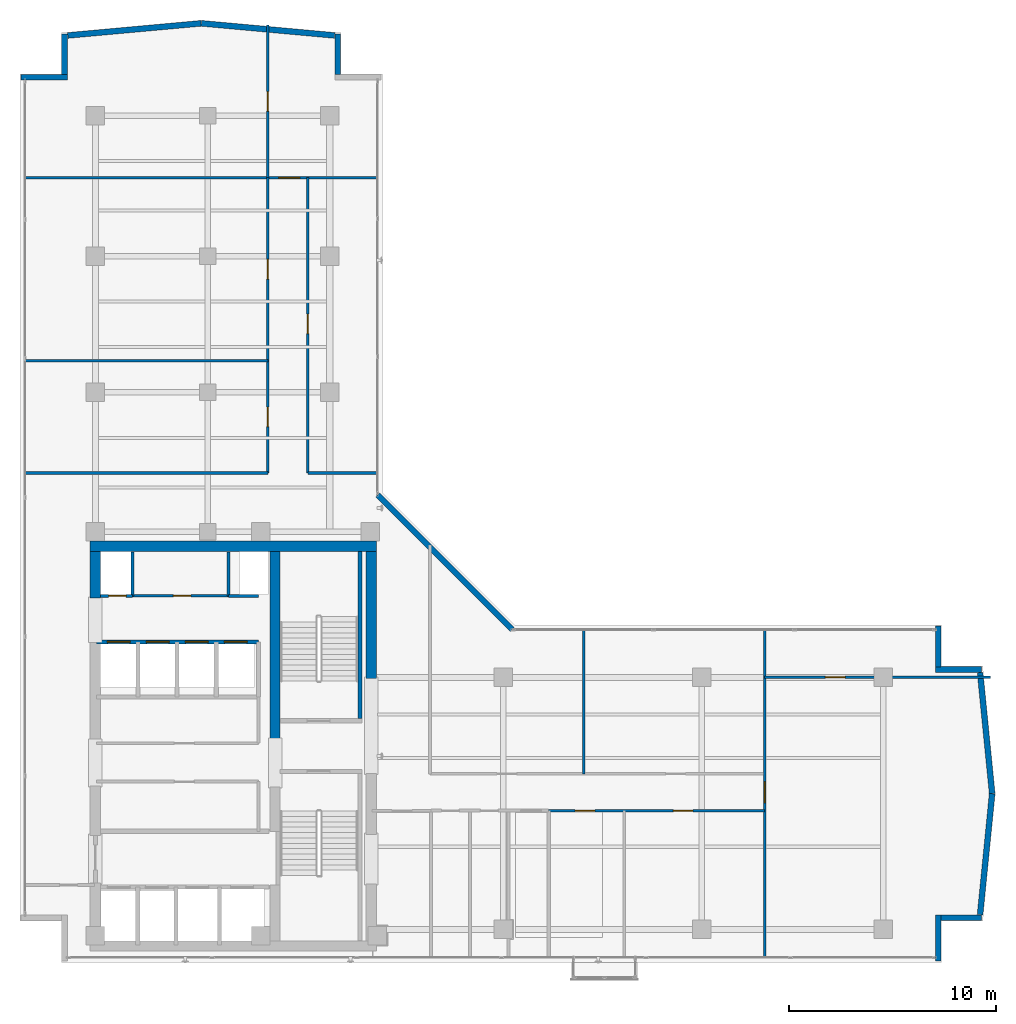
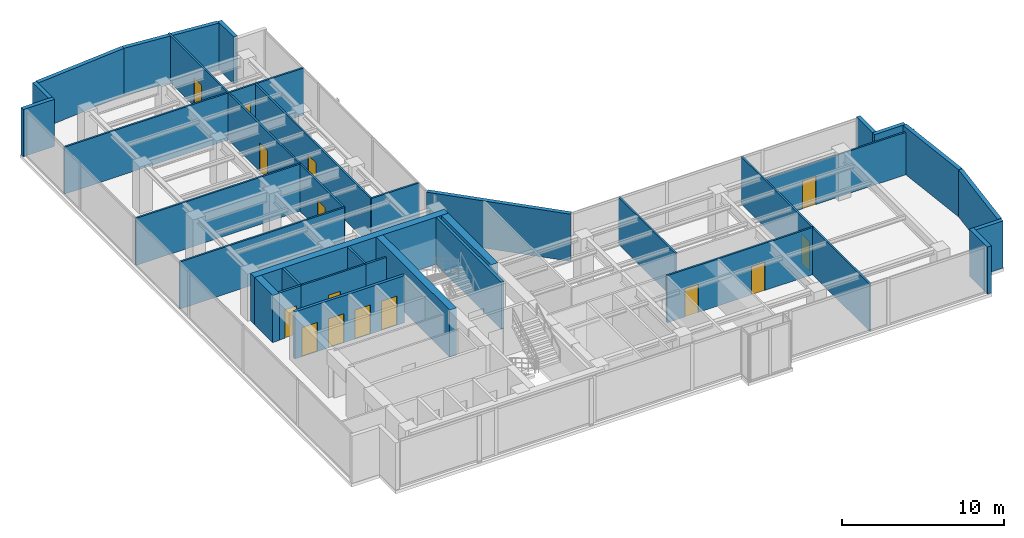
# One storey, part 18 of 22: 34 walls, 15 doors, 15 openings.
"""IFC4 building model written with IfcOpenShell, lengths in metres."""

from ifc_helpers import new_model, si_unit, direction, frame, frame_2d, origin, place, context, subcontext, project, spatial, rectangle, extrude, material, layer, layer_set, type_object, element, fill, save


model = new_model("IFC4")

# Units and contexts
model_context = context("Model", 3, precision=1e-05, world=origin(), true_north=direction((0.0, 1.0)))
body_context = subcontext(model_context, "Body", "Model", "MODEL_VIEW")
ifc_project = project(units=[si_unit("LENGTHUNIT", "METRE"), si_unit("AREAUNIT", "SQUARE_METRE"), si_unit("VOLUMEUNIT", "CUBIC_METRE"), si_unit("PLANEANGLEUNIT", "RADIAN"), si_unit("MASSUNIT", "GRAM", prefix="KILO")], contexts=[model_context])

# Site, building, storey
site_placement = place(None, origin())
site = spatial("IfcSite", under=ifc_project, at=site_placement, CompositionType="ELEMENT")
building_placement = place(site_placement, origin())
building = spatial("IfcBuilding", under=site, at=building_placement, Name="Kolvaren Waterfront Exchange", CompositionType="ELEMENT")
storey_placement = place(building_placement, frame((0.0, 0.0, 281.800048828125)))
storey = spatial("IfcBuildingStorey", under=building, at=storey_placement, Name="L72", CompositionType="ELEMENT", Elevation=281.800048828125)

# Walls
ifc_material_1 = material(Name="Precast concrete C40/50", Category="concrete")
ifc_layer_1 = layer(ifc_material_1, 0.280029296875, Name="Precast concrete C40/50")
ifc_layer_set_1 = layer_set([ifc_layer_1], Name="Precast concrete C40/50")
wall_type_1 = type_object("IfcWallType", Name="ARC-EXT-TERR-280", PredefinedType="SOLIDWALL", material=ifc_layer_set_1)
wall_1_placement = place(storey_placement, frame((48.255859375, 3.659912109375, 0.0), z_axis=(0.0, 0.0, 1.0), x_axis=(0.0, 1.0, 0.0)))
element("IfcWall", 1, at=wall_1_placement, inside=storey, type_object=wall_type_1, Name="L72 notched corner spandrel pier SE-A", PredefinedType="SOLIDWALL", context=body_context, shape_type="SweptSolid", body=[
    extrude(rectangle(XDim=2.239990234375, YDim=0.280029296875, at=frame_2d((1.1201171875, 0.0))), origin(), (0.0, 0.0, 1.0), 3.56005859375),
])
wall_2_placement = place(storey_placement, frame((48.395751953125, 5.760009765625, 0.0), z_axis=(0.0, 0.0, 1.0), x_axis=(1.0, 0.0, 0.0)))
element("IfcWall", 2, at=wall_2_placement, inside=storey, type_object=wall_type_1, Name="L72 notched corner spandrel pier SE-B", PredefinedType="SOLIDWALL", context=body_context, shape_type="SweptSolid", body=[
    extrude(rectangle(XDim=1.9599609375, YDim=0.280029296875, at=frame_2d((0.97998046875, 0.0))), origin(), (0.0, 0.0, 1.0), 3.56005859375),
])
wall_3_placement = place(storey_placement, frame((48.255859375, 17.912353515625, 0.0), z_axis=(0.0, 0.0, 1.0), x_axis=(0.0, 1.0, 0.0)))
element("IfcWall", 3, at=wall_3_placement, inside=storey, type_object=wall_type_1, Name="L72 notched corner spandrel pier ENE-A", PredefinedType="SOLIDWALL", context=body_context, shape_type="SweptSolid", body=[
    extrude(rectangle(XDim=1.97509765625, YDim=0.280029296875, at=frame_2d((0.987548828125, 0.0))), origin(), (0.0, 0.0, 1.0), 3.56005859375),
])
wall_4_placement = place(storey_placement, frame((48.11572265625, 17.787353515625, 0.0), z_axis=(0.0, 0.0, 1.0), x_axis=(1.0, 0.0, 0.0)))
element("IfcWall", 4, at=wall_4_placement, inside=storey, type_object=wall_type_1, Name="L72 notched corner spandrel pier ENE-B", PredefinedType="SOLIDWALL", context=body_context, shape_type="SweptSolid", body=[
    extrude(rectangle(XDim=2.239990234375, YDim=0.280029296875, at=frame_2d((1.1201171875, 0.0))), origin(), (0.0, 0.0, 1.0), 3.56005859375),
])
wall_5_placement = place(storey_placement, frame((19.1875, 46.595703125, 0.0), z_axis=(0.0, 0.0, 1.0), x_axis=(0.0, 1.0, 0.0)))
element("IfcWall", 5, at=wall_5_placement, inside=storey, type_object=wall_type_1, Name="L72 notched corner spandrel pier NNE-B", PredefinedType="SOLIDWALL", context=body_context, shape_type="SweptSolid", body=[
    extrude(rectangle(XDim=1.960205078125, YDim=0.280029296875, at=frame_2d((0.97998046875, 0.0))), origin(), (0.0, 0.0, 1.0), 3.56005859375),
])
wall_6_placement = place(storey_placement, frame((3.860107421875, 46.455810546875, 0.0), z_axis=(0.0, 0.0, 1.0), x_axis=(1.0, 0.0, 0.0)))
element("IfcWall", 6, at=wall_6_placement, inside=storey, type_object=wall_type_1, Name="L72 notched corner spandrel pier NW-A", PredefinedType="SOLIDWALL", context=body_context, shape_type="SweptSolid", body=[
    extrude(rectangle(XDim=2.239990234375, YDim=0.280029296875, at=frame_2d((1.1201171875, 0.0))), origin(), (0.0, 0.0, 1.0), 3.56005859375),
])
wall_7_placement = place(storey_placement, frame((5.9599609375, 46.595703125, 0.0), z_axis=(0.0, 0.0, 1.0), x_axis=(0.0, 1.0, 0.0)))
element("IfcWall", 7, at=wall_7_placement, inside=storey, type_object=wall_type_1, Name="L72 notched corner spandrel pier NW-B", PredefinedType="SOLIDWALL", context=body_context, shape_type="SweptSolid", body=[
    extrude(rectangle(XDim=1.960205078125, YDim=0.280029296875, at=frame_2d((0.97998046875, 0.0))), origin(), (0.0, 0.0, 1.0), 3.56005859375),
])
wall_8_placement = place(storey_placement, frame((27.63232421875, 19.722412109375, 0.0), z_axis=(0.0, 0.0, 1.0), x_axis=(-0.707106781187, 0.707106781187, 0.0)))
element("IfcWall", 8, at=wall_8_placement, inside=storey, type_object=wall_type_1, Name="L72 notched corner spandrel pier ELBOW", PredefinedType="SOLIDWALL", context=body_context, shape_type="SweptSolid", body=[
    extrude(rectangle(XDim=9.20654296875, YDim=0.280029296875, at=frame_2d((4.603271484375, 0.0))), origin(), (0.0, 0.0, 1.0), 3.56005859375),
])
for number, where, z_axis, x_axis, name in (
    (9, (50.286376953125, 5.914306640625, 0.0), (0.0, 0.0, 1.0), (0.099240817261, 0.995063445309, 0.0), "L72 east prow faceted facade wall 1"),
    (10, (50.870361328125, 11.777587890625, 0.0), (0.0, 0.0, 1.0), (-0.099240817261, 0.995063445309, 0.0), "L72 east prow faceted facade wall 2"),
):
    element("IfcWall", number, at=place(storey_placement, frame(where, z_axis=z_axis, x_axis=x_axis)), inside=storey, type_object=wall_type_1, Name=name, PredefinedType="SOLIDWALL", context=body_context, shape_type="SweptSolid", body=[
        extrude(rectangle(XDim=5.884521484375, YDim=0.280029296875, at=frame_2d((2.9423828125, 0.0))), origin(), (0.0, 0.0, 1.0), 3.56005859375),
    ])
for number, where, z_axis, x_axis, name in (
    (11, (19.0341796875, 48.483642578125, 0.0), (0.0, 0.0, 1.0), (-0.995895367362, 0.090511973062, 0.0), "L72 north prow faceted facade wall 1"),
    (12, (12.568359375, 49.0703125, 0.0), (0.0, 0.0, 1.0), (-0.995895367362, -0.090511973062, 0.0), "L72 north prow faceted facade wall 2"),
):
    element("IfcWall", number, at=place(storey_placement, frame(where, z_axis=z_axis, x_axis=x_axis)), inside=storey, type_object=wall_type_1, Name=name, PredefinedType="SOLIDWALL", context=body_context, shape_type="SweptSolid", body=[
        extrude(rectangle(XDim=6.481689453125, YDim=0.280029296875, at=frame_2d((3.24072265625, 0.0))), origin(), (0.0, 0.0, 1.0), 3.56005859375),
    ])

# Wall, opening, door
ifc_material_2 = material(Name="Acoustic gypsum steel stud", Category="steel")
ifc_layer_2 = layer(ifc_material_2, 0.125, Name="Acoustic gypsum steel stud")
ifc_layer_set_2 = layer_set([ifc_layer_2], Name="Acoustic gypsum steel stud")
wall_type_2 = type_object("IfcWallType", Name="ARC-PART-125", PredefinedType="PARTITIONING", material=ifc_layer_set_2)
wall_9_placement = place(storey_placement, frame((9.25, 21.35009765625, 0.0), z_axis=(0.0, 0.0, 1.0), x_axis=(1.0, 0.0, 0.0)))
wall_9 = element("IfcWall", 13, at=wall_9_placement, inside=storey, type_object=wall_type_2, Name="L72 interior wall PW-L72-SVC-HI-S", PredefinedType="PARTITIONING", context=body_context, shape_type="SweptSolid", body=[
    extrude(rectangle(XDim=4.64990234375, YDim=0.125, at=frame_2d((2.324951171875, 0.0))), origin(), (0.0, 0.0, 1.0), 3.56005859375),
])
opening_1_placement = place(wall_9_placement, frame((1.971435546875, 0.0, 0.0)))
opening_1 = element("IfcOpeningElement", 14, at=opening_1_placement, cuts=wall_9, Name="Opening D01", PredefinedType="OPENING", context=body_context, shape_type="SweptSolid", body=[
    extrude(rectangle(XDim=0.85009765625, YDim=2.14990234375, at=frame_2d((0.425048828125, 1.074951171875))), frame((0.0, 0.072509765625, 0.0), z_axis=(0.0, -1.0, 0.0), x_axis=(1.0, 0.0, 0.0)), (0.0, 0.0, 1.0), 0.14501953125),
])
ifc_material_3 = material(Name="Oak veneer timber leaf", Category="wood")
door_type_1 = type_object("IfcDoorType", Name="ARC-DR-900", OperationType="NOTDEFINED", PredefinedType="DOOR", material=ifc_material_3)
door_1_placement = place(opening_1_placement, origin())
door_1 = element("IfcDoor", 15, at=door_1_placement, inside=storey, type_object=door_type_1, Name="L72 door DR-L72-SVC-DR-1 (D01)", OperationType="SINGLE_SWING_RIGHT", OverallHeight=2.14990234375, OverallWidth=0.85009765625, PredefinedType="DOOR", context=body_context, shape_type="SweptSolid", body=[
    extrude(rectangle(XDim=0.85009765625, YDim=2.14990234375, at=frame_2d((0.425048828125, 1.074951171875))), frame((0.0, 0.02490234375, 0.0), z_axis=(0.0, -1.0, 0.0), x_axis=(1.0, 0.0, 0.0)), (0.0, 0.0, 1.0), 0.050048828125),
])
fill(opening_1, door_1)

# Wall, openings, doors
wall_10_placement = place(storey_placement, frame((29.39990234375, 10.949951171875, 0.0), z_axis=(0.0, 0.0, 1.0), x_axis=(1.0, 0.0, 0.0)))
wall_10 = element("IfcWall", 16, at=wall_10_placement, inside=storey, type_object=wall_type_2, Name="L72 interior wall PW-L72-ES-CORR", PredefinedType="PARTITIONING", context=body_context, shape_type="SweptSolid", body=[
    extrude(rectangle(XDim=10.4501953125, YDim=0.125, at=frame_2d((5.22509765625, 0.0))), origin(), (0.0, 0.0, 1.0), 3.56005859375),
])
opening_2_placement = place(wall_10_placement, frame((1.281494140625, 0.0, 0.0)))
opening_2 = element("IfcOpeningElement", 17, at=opening_2_placement, cuts=wall_10, Name="Opening D02", PredefinedType="OPENING", context=body_context, shape_type="SweptSolid", body=[
    extrude(rectangle(XDim=0.949951171875, YDim=2.14990234375, at=frame_2d((0.47509765625, 1.074951171875))), frame((0.0, 0.072509765625, 0.0), z_axis=(0.0, -1.0, 0.0), x_axis=(1.0, 0.0, 0.0)), (0.0, 0.0, 1.0), 0.14501953125),
])
opening_3_placement = place(wall_10_placement, frame((6.034423828125, 0.0, 0.0)))
opening_3 = element("IfcOpeningElement", 18, at=opening_3_placement, cuts=wall_10, Name="Opening D02", PredefinedType="OPENING", context=body_context, shape_type="SweptSolid", body=[
    extrude(rectangle(XDim=0.949951171875, YDim=2.14990234375, at=frame_2d((0.47509765625, 1.074951171875))), frame((0.0, 0.072509765625, 0.0), z_axis=(0.0, -1.0, 0.0), x_axis=(1.0, 0.0, 0.0)), (0.0, 0.0, 1.0), 0.14501953125),
])
ifc_material_4 = material(Name="Oak veneer acoustic timber", Category="wood")
door_type_2 = type_object("IfcDoorType", Name="ARC-DR-950", OperationType="NOTDEFINED", PredefinedType="DOOR", material=ifc_material_4)
door_2_placement = place(opening_2_placement, origin())
door_2 = element("IfcDoor", 19, at=door_2_placement, inside=storey, type_object=door_type_2, Name="L72 door DR-L72-ES-D-1 (D02)", OperationType="SINGLE_SWING_RIGHT", OverallHeight=2.14990234375, OverallWidth=0.949951171875, PredefinedType="DOOR", context=body_context, shape_type="SweptSolid", body=[
    extrude(rectangle(XDim=0.949951171875, YDim=2.14990234375, at=frame_2d((0.47509765625, 1.074951171875))), frame((0.0, 0.02490234375, 0.0), z_axis=(0.0, -1.0, 0.0), x_axis=(1.0, 0.0, 0.0)), (0.0, 0.0, 1.0), 0.050048828125),
])
fill(opening_2, door_2)
door_3_placement = place(opening_3_placement, origin())
door_3 = element("IfcDoor", 20, at=door_3_placement, inside=storey, type_object=door_type_2, Name="L72 door DR-L72-ES-D-2 (D02)", OperationType="SINGLE_SWING_LEFT", OverallHeight=2.14990234375, OverallWidth=0.949951171875, PredefinedType="DOOR", context=body_context, shape_type="SweptSolid", body=[
    extrude(rectangle(XDim=0.949951171875, YDim=2.14990234375, at=frame_2d((0.47509765625, 1.074951171875))), frame((0.0, 0.02490234375, 0.0), z_axis=(0.0, -1.0, 0.0), x_axis=(1.0, 0.0, 0.0)), (0.0, 0.0, 1.0), 0.050048828125),
])
fill(opening_3, door_3)

# Wall, opening, door
wall_11_placement = place(storey_placement, frame((39.85009765625, 3.840087890625, 0.0), z_axis=(0.0, 0.0, 1.0), x_axis=(0.0, 1.0, 0.0)))
wall_11 = element("IfcWall", 21, at=wall_11_placement, inside=storey, type_object=wall_type_2, Name="L72 interior wall PW-L72-ETIP-W", PredefinedType="PARTITIONING", context=body_context, shape_type="SweptSolid", body=[
    extrude(rectangle(XDim=15.919921875, YDim=0.125, at=frame_2d((7.9599609375, 0.0))), origin(), (0.0, 0.0, 1.0), 3.56005859375),
])
opening_4_placement = place(wall_11_placement, frame((7.5, 0.0, 0.0)))
opening_4 = element("IfcOpeningElement", 22, at=opening_4_placement, cuts=wall_11, Name="Opening D03", PredefinedType="OPENING", context=body_context, shape_type="SweptSolid", body=[
    extrude(rectangle(XDim=1.0, YDim=2.199951171875, at=frame_2d((0.5, 1.10009765625))), frame((0.0, 0.072509765625, 0.0), z_axis=(0.0, -1.0, 0.0), x_axis=(1.0, 0.0, 0.0)), (0.0, 0.0, 1.0), 0.14501953125),
])
ifc_material_5 = material(Name="Oak veneer accessible timber", Category="wood")
door_type_3 = type_object("IfcDoorType", Name="ARC-DR-1000", OperationType="NOTDEFINED", PredefinedType="DOOR", material=ifc_material_5)
door_4_placement = place(opening_4_placement, origin())
door_4 = element("IfcDoor", 23, at=door_4_placement, inside=storey, type_object=door_type_3, Name="L72 door DR-L72-ETIP1-D (D03)", OperationType="SINGLE_SWING_RIGHT", OverallHeight=2.199951171875, OverallWidth=1.0, PredefinedType="DOOR", context=body_context, shape_type="SweptSolid", body=[
    extrude(rectangle(XDim=1.0, YDim=2.199951171875, at=frame_2d((0.5, 1.10009765625))), frame((0.0, 0.02490234375, 0.0), z_axis=(0.0, -1.0, 0.0), x_axis=(1.0, 0.0, 0.0)), (0.0, 0.0, 1.0), 0.050048828125),
])
fill(opening_4, door_4)

wall_12_placement = place(storey_placement, frame((39.85009765625, 17.39990234375, 0.0), z_axis=(0.0, 0.0, 1.0), x_axis=(1.0, 0.0, 0.0)))
wall_12 = element("IfcWall", 24, at=wall_12_placement, inside=storey, type_object=wall_type_2, Name="L72 interior wall PW-L72-ETIP-MID", PredefinedType="PARTITIONING", context=body_context, shape_type="SweptSolid", body=[
    extrude(rectangle(XDim=10.94140625, YDim=0.125, at=frame_2d((5.470703125, 0.0))), origin(), (0.0, 0.0, 1.0), 3.199951171875),
])
opening_5_placement = place(wall_12_placement, frame((2.949951171875, 0.0, 0.0)))
opening_5 = element("IfcOpeningElement", 25, at=opening_5_placement, cuts=wall_12, Name="Opening D02", PredefinedType="OPENING", context=body_context, shape_type="SweptSolid", body=[
    extrude(rectangle(XDim=0.949951171875, YDim=2.14990234375, at=frame_2d((0.47509765625, 1.074951171875))), frame((0.0, 0.072509765625, 0.0), z_axis=(0.0, -1.0, 0.0), x_axis=(1.0, 0.0, 0.0)), (0.0, 0.0, 1.0), 0.14501953125),
])
door_5_placement = place(opening_5_placement, origin())
door_5 = element("IfcDoor", 26, at=door_5_placement, inside=storey, type_object=door_type_2, Name="L72 door DR-L72-ETIP2-D (D02)", OperationType="SINGLE_SWING_LEFT", OverallHeight=2.14990234375, OverallWidth=0.949951171875, PredefinedType="DOOR", context=body_context, shape_type="SweptSolid", body=[
    extrude(rectangle(XDim=0.949951171875, YDim=2.14990234375, at=frame_2d((0.47509765625, 1.074951171875))), frame((0.0, 0.02490234375, 0.0), z_axis=(0.0, -1.0, 0.0), x_axis=(1.0, 0.0, 0.0)), (0.0, 0.0, 1.0), 0.050048828125),
])
fill(opening_5, door_5)

# Walls
wall_13_placement = place(storey_placement, frame((31.10009765625, 12.72998046875, 0.0), z_axis=(0.0, 0.0, 1.0), x_axis=(0.0, 1.0, 0.0)))
element("IfcWall", 27, at=wall_13_placement, inside=storey, type_object=wall_type_2, Name="L72 interior wall PW-L72-EN-DIV-1", PredefinedType="PARTITIONING", context=body_context, shape_type="SweptSolid", body=[
    extrude(rectangle(XDim=7.030029296875, YDim=0.125, at=frame_2d((3.51513671875, 0.0))), origin(), (0.0, 0.0, 1.0), 3.56005859375),
])
wall_14_placement = place(storey_placement, frame((4.0400390625, 27.300048828125, 0.0), z_axis=(0.0, 0.0, 1.0), x_axis=(1.0, 0.0, 0.0)))
element("IfcWall", 28, at=wall_14_placement, inside=storey, type_object=wall_type_2, Name="L72 interior wall PW-L72-NW-S0", PredefinedType="PARTITIONING", context=body_context, shape_type="SweptSolid", body=[
    extrude(rectangle(XDim=11.760009765625, YDim=0.125, at=frame_2d((5.8798828125, 0.0))), origin(), (0.0, 0.0, 1.0), 3.56005859375),
])

# Wall, openings, doors
wall_15_placement = place(storey_placement, frame((15.800048828125, 27.300048828125, 0.0), z_axis=(0.0, 0.0, 1.0), x_axis=(0.0, 1.0, 0.0)))
wall_15 = element("IfcWall", 29, at=wall_15_placement, inside=storey, type_object=wall_type_2, Name="L72 interior wall PW-L72-NW-CORR", PredefinedType="PARTITIONING", context=body_context, shape_type="SweptSolid", body=[
    extrude(rectangle(XDim=14.300048828125, YDim=0.125, at=frame_2d((7.14990234375, 0.0))), origin(), (0.0, 0.0, 1.0), 3.56005859375),
])
opening_6_placement = place(wall_15_placement, frame((2.239990234375, 0.0, 0.0)))
opening_6 = element("IfcOpeningElement", 30, at=opening_6_placement, cuts=wall_15, Name="Opening D02", PredefinedType="OPENING", context=body_context, shape_type="SweptSolid", body=[
    extrude(rectangle(XDim=0.949951171875, YDim=2.14990234375, at=frame_2d((0.47509765625, 1.074951171875))), frame((0.0, 0.072509765625, 0.0), z_axis=(0.0, -1.0, 0.0), x_axis=(1.0, 0.0, 0.0)), (0.0, 0.0, 1.0), 0.14501953125),
])
opening_7_placement = place(wall_15_placement, frame((9.389892578125, 0.0, 0.0)))
opening_7 = element("IfcOpeningElement", 31, at=opening_7_placement, cuts=wall_15, Name="Opening D02", PredefinedType="OPENING", context=body_context, shape_type="SweptSolid", body=[
    extrude(rectangle(XDim=0.949951171875, YDim=2.14990234375, at=frame_2d((0.47509765625, 1.074951171875))), frame((0.0, 0.072509765625, 0.0), z_axis=(0.0, -1.0, 0.0), x_axis=(1.0, 0.0, 0.0)), (0.0, 0.0, 1.0), 0.14501953125),
])
door_6_placement = place(opening_6_placement, origin())
door_6 = element("IfcDoor", 32, at=door_6_placement, inside=storey, type_object=door_type_2, Name="L72 door DR-L72-NW-D-1 (D02)", OperationType="SINGLE_SWING_RIGHT", OverallHeight=2.14990234375, OverallWidth=0.949951171875, PredefinedType="DOOR", context=body_context, shape_type="SweptSolid", body=[
    extrude(rectangle(XDim=0.949951171875, YDim=2.14990234375, at=frame_2d((0.47509765625, 1.074951171875))), frame((0.0, 0.02490234375, 0.0), z_axis=(0.0, -1.0, 0.0), x_axis=(1.0, 0.0, 0.0)), (0.0, 0.0, 1.0), 0.050048828125),
])
fill(opening_6, door_6)
door_7_placement = place(opening_7_placement, origin())
door_7 = element("IfcDoor", 33, at=door_7_placement, inside=storey, type_object=door_type_2, Name="L72 door DR-L72-NW-D-2 (D02)", OperationType="SINGLE_SWING_LEFT", OverallHeight=2.14990234375, OverallWidth=0.949951171875, PredefinedType="DOOR", context=body_context, shape_type="SweptSolid", body=[
    extrude(rectangle(XDim=0.949951171875, YDim=2.14990234375, at=frame_2d((0.47509765625, 1.074951171875))), frame((0.0, 0.02490234375, 0.0), z_axis=(0.0, -1.0, 0.0), x_axis=(1.0, 0.0, 0.0)), (0.0, 0.0, 1.0), 0.050048828125),
])
fill(opening_7, door_7)

# Wall
wall_16_placement = place(storey_placement, frame((4.0400390625, 32.72998046875, 0.0), z_axis=(0.0, 0.0, 1.0), x_axis=(1.0, 0.0, 0.0)))
element("IfcWall", 34, at=wall_16_placement, inside=storey, type_object=wall_type_2, Name="L72 interior wall PW-L72-NW-DIV-1", PredefinedType="PARTITIONING", context=body_context, shape_type="SweptSolid", body=[
    extrude(rectangle(XDim=11.760009765625, YDim=0.125, at=frame_2d((5.8798828125, 0.0))), origin(), (0.0, 0.0, 1.0), 3.56005859375),
])

# Wall, opening, door
wall_17_placement = place(storey_placement, frame((4.0400390625, 41.60009765625, 0.0), z_axis=(0.0, 0.0, 1.0), x_axis=(1.0, 0.0, 0.0)))
wall_17 = element("IfcWall", 35, at=wall_17_placement, inside=storey, type_object=wall_type_2, Name="L72 interior wall PW-L72-NTIP-S", PredefinedType="PARTITIONING", context=body_context, shape_type="SweptSolid", body=[
    extrude(rectangle(XDim=17.119873046875, YDim=0.125, at=frame_2d((8.56005859375, 0.0))), origin(), (0.0, 0.0, 1.0), 3.56005859375),
])
opening_8_placement = place(wall_17_placement, frame((12.300048828125, 0.0, 0.0)))
opening_8 = element("IfcOpeningElement", 36, at=opening_8_placement, cuts=wall_17, Name="Opening D03", PredefinedType="OPENING", context=body_context, shape_type="SweptSolid", body=[
    extrude(rectangle(XDim=1.0, YDim=2.199951171875, at=frame_2d((0.5, 1.10009765625))), frame((0.0, 0.072509765625, 0.0), z_axis=(0.0, -1.0, 0.0), x_axis=(1.0, 0.0, 0.0)), (0.0, 0.0, 1.0), 0.14501953125),
])
door_8_placement = place(opening_8_placement, origin())
door_8 = element("IfcDoor", 37, at=door_8_placement, inside=storey, type_object=door_type_3, Name="L72 door DR-L72-NTIPE-D (D03)", OperationType="SINGLE_SWING_RIGHT", OverallHeight=2.199951171875, OverallWidth=1.0, PredefinedType="DOOR", context=body_context, shape_type="SweptSolid", body=[
    extrude(rectangle(XDim=1.0, YDim=2.199951171875, at=frame_2d((0.5, 1.10009765625))), frame((0.0, 0.02490234375, 0.0), z_axis=(0.0, -1.0, 0.0), x_axis=(1.0, 0.0, 0.0)), (0.0, 0.0, 1.0), 0.050048828125),
])
fill(opening_8, door_8)

wall_18_placement = place(storey_placement, frame((15.800048828125, 41.60009765625, 0.0), z_axis=(0.0, 0.0, 1.0), x_axis=(0.0, 1.0, 0.0)))
wall_18 = element("IfcWall", 38, at=wall_18_placement, inside=storey, type_object=wall_type_2, Name="L72 interior wall PW-L72-NTIP-DIV", PredefinedType="PARTITIONING", context=body_context, shape_type="SweptSolid", body=[
    extrude(rectangle(XDim=7.3916015625, YDim=0.125, at=frame_2d((3.69580078125, 0.0))), origin(), (0.0, 0.0, 1.0), 3.56005859375),
])
opening_9_placement = place(wall_18_placement, frame((3.2158203125, 0.0, 0.0)))
opening_9 = element("IfcOpeningElement", 39, at=opening_9_placement, cuts=wall_18, Name="Opening D02", PredefinedType="OPENING", context=body_context, shape_type="SweptSolid", body=[
    extrude(rectangle(XDim=0.949951171875, YDim=2.14990234375, at=frame_2d((0.47509765625, 1.074951171875))), frame((0.0, 0.072509765625, 0.0), z_axis=(0.0, -1.0, 0.0), x_axis=(1.0, 0.0, 0.0)), (0.0, 0.0, 1.0), 0.14501953125),
])
door_9_placement = place(opening_9_placement, origin())
door_9 = element("IfcDoor", 40, at=door_9_placement, inside=storey, type_object=door_type_2, Name="L72 door DR-L72-NTIPW-D (D02)", OperationType="SINGLE_SWING_LEFT", OverallHeight=2.14990234375, OverallWidth=0.949951171875, PredefinedType="DOOR", context=body_context, shape_type="SweptSolid", body=[
    extrude(rectangle(XDim=0.949951171875, YDim=2.14990234375, at=frame_2d((0.47509765625, 1.074951171875))), frame((0.0, 0.02490234375, 0.0), z_axis=(0.0, -1.0, 0.0), x_axis=(1.0, 0.0, 0.0)), (0.0, 0.0, 1.0), 0.050048828125),
])
fill(opening_9, door_9)

# Wall
wall_19_placement = place(storey_placement, frame((17.739990234375, 27.300048828125, 0.0), z_axis=(0.0, 0.0, 1.0), x_axis=(1.0, 0.0, 0.0)))
element("IfcWall", 41, at=wall_19_placement, inside=storey, type_object=wall_type_2, Name="L72 interior wall PW-L72-NE-S0", PredefinedType="PARTITIONING", context=body_context, shape_type="SweptSolid", body=[
    extrude(rectangle(XDim=3.419921875, YDim=0.125, at=frame_2d((1.7099609375, 0.0))), origin(), (0.0, 0.0, 1.0), 3.56005859375),
])

# Wall, opening, door
wall_20_placement = place(storey_placement, frame((17.739990234375, 27.300048828125, 0.0), z_axis=(0.0, 0.0, 1.0), x_axis=(0.0, 1.0, 0.0)))
wall_20 = element("IfcWall", 42, at=wall_20_placement, inside=storey, type_object=wall_type_2, Name="L72 interior wall PW-L72-NE-CORR", PredefinedType="PARTITIONING", context=body_context, shape_type="SweptSolid", body=[
    extrude(rectangle(XDim=14.300048828125, YDim=0.125, at=frame_2d((7.14990234375, 0.0))), origin(), (0.0, 0.0, 1.0), 3.56005859375),
])
opening_10_placement = place(wall_20_placement, frame((6.74560546875, 0.0, 0.0)))
opening_10 = element("IfcOpeningElement", 43, at=opening_10_placement, cuts=wall_20, Name="Opening D02", PredefinedType="OPENING", context=body_context, shape_type="SweptSolid", body=[
    extrude(rectangle(XDim=0.949951171875, YDim=2.14990234375, at=frame_2d((0.47509765625, 1.074951171875))), frame((0.0, 0.072509765625, 0.0), z_axis=(0.0, -1.0, 0.0), x_axis=(1.0, 0.0, 0.0)), (0.0, 0.0, 1.0), 0.14501953125),
])
door_10_placement = place(opening_10_placement, origin())
door_10 = element("IfcDoor", 44, at=door_10_placement, inside=storey, type_object=door_type_2, Name="L72 door DR-L72-NE-D-1 (D02)", OperationType="SINGLE_SWING_RIGHT", OverallHeight=2.14990234375, OverallWidth=0.949951171875, PredefinedType="DOOR", context=body_context, shape_type="SweptSolid", body=[
    extrude(rectangle(XDim=0.949951171875, YDim=2.14990234375, at=frame_2d((0.47509765625, 1.074951171875))), frame((0.0, 0.02490234375, 0.0), z_axis=(0.0, -1.0, 0.0), x_axis=(1.0, 0.0, 0.0)), (0.0, 0.0, 1.0), 0.050048828125),
])
fill(opening_10, door_10)

# Walls
ifc_material_6 = material(Name="Gypsum fireboard steel stud", Category="steel")
ifc_layer_3 = layer(ifc_material_6, 0.14990234375, Name="Gypsum fireboard steel stud")
ifc_layer_set_3 = layer_set([ifc_layer_3], Name="Gypsum fireboard steel stud")
wall_type_3 = type_object("IfcWallType", Name="ARC-PART-150", PredefinedType="PARTITIONING", material=ifc_layer_set_3)
for number, where, z_axis, x_axis, name in (
    (45, (9.25, 21.35009765625, 0.0), (0.0, 0.0, 1.0), (0.0, 1.0, 0.0), "L72 interior wall PW-L72-SVC-R1"),
    (46, (13.89990234375, 21.35009765625, 0.0), (0.0, 0.0, 1.0), (0.0, 1.0, 0.0), "L72 interior wall PW-L72-SVC-R2"),
):
    element("IfcWall", number, at=place(storey_placement, frame(where, z_axis=z_axis, x_axis=x_axis)), inside=storey, type_object=wall_type_3, Name=name, PredefinedType="PARTITIONING", context=body_context, shape_type="SweptSolid", body=[
        extrude(rectangle(XDim=2.1298828125, YDim=0.14990234375, at=frame_2d((1.06494140625, 0.0))), origin(), (0.0, 0.0, 1.0), 3.56005859375),
    ])

# Wall, opening, door
wall_21_placement = place(storey_placement, frame((7.699951171875, 21.35009765625, 0.0), z_axis=(0.0, 0.0, 1.0), x_axis=(1.0, 0.0, 0.0)))
wall_21 = element("IfcWall", 47, at=wall_21_placement, inside=storey, type_object=wall_type_3, Name="L72 interior wall PW-L72-SVC-RE-S", PredefinedType="PARTITIONING", context=body_context, shape_type="SweptSolid", body=[
    extrude(rectangle(XDim=1.550048828125, YDim=0.14990234375, at=frame_2d((0.77490234375, 0.0))), origin(), (0.0, 0.0, 1.0), 3.56005859375),
])
opening_11_placement = place(wall_21_placement, frame((0.389892578125, 0.0, 0.0)))
opening_11 = element("IfcOpeningElement", 48, at=opening_11_placement, cuts=wall_21, Name="Opening FD1", PredefinedType="OPENING", context=body_context, shape_type="SweptSolid", body=[
    extrude(rectangle(XDim=0.85009765625, YDim=2.14990234375, at=frame_2d((0.425048828125, 1.074951171875))), frame((0.0, 0.0849609375, 0.0), z_axis=(0.0, -1.0, 0.0), x_axis=(1.0, 0.0, 0.0)), (0.0, 0.0, 1.0), 0.169921875),
])
ifc_material_7 = material(Name="Pressed steel fire leaf", Category="steel")
door_type_4 = type_object("IfcDoorType", Name="ARC-FD-900", OperationType="NOTDEFINED", PredefinedType="DOOR", material=ifc_material_7)
door_11_placement = place(opening_11_placement, origin())
door_11 = element("IfcDoor", 49, at=door_11_placement, inside=storey, type_object=door_type_4, Name="L72 door DR-L72-RISER-E-DR (FD1)", OperationType="SINGLE_SWING_LEFT", OverallHeight=2.14990234375, OverallWidth=0.85009765625, PredefinedType="DOOR", context=body_context, shape_type="SweptSolid", body=[
    extrude(rectangle(XDim=0.85009765625, YDim=2.14990234375, at=frame_2d((0.425048828125, 1.074951171875))), frame((0.0, 0.02490234375, 0.0), z_axis=(0.0, -1.0, 0.0), x_axis=(1.0, 0.0, 0.0)), (0.0, 0.0, 1.0), 0.050048828125),
])
fill(opening_11, door_11)

# Walls
wall_22_placement = place(storey_placement, frame((13.89990234375, 21.35009765625, 0.0), z_axis=(0.0, 0.0, 1.0), x_axis=(1.0, 0.0, 0.0)))
element("IfcWall", 50, at=wall_22_placement, inside=storey, type_object=wall_type_3, Name="L72 interior wall PW-L72-SVC-RP-S", PredefinedType="PARTITIONING", context=body_context, shape_type="SweptSolid", body=[
    extrude(rectangle(XDim=1.4501953125, YDim=0.14990234375, at=frame_2d((0.72509765625, 0.0))), origin(), (0.0, 0.0, 1.0), 3.56005859375),
])
ifc_material_8 = material(Name="Concrete C40/50", Category="concrete")
ifc_layer_4 = layer(ifc_material_8, 0.199951171875, Name="Concrete C40/50")
ifc_layer_set_4 = layer_set([ifc_layer_4], Name="Concrete C40/50")
wall_type_4 = type_object("IfcWallType", Name="ARC-SHAFT-200", PredefinedType="PARTITIONING", material=ifc_layer_set_4)
wall_23_placement = place(storey_placement, frame((20.260009765625, 15.39990234375, 0.0), z_axis=(0.0, 0.0, 1.0), x_axis=(0.0, 1.0, 0.0)))
element("IfcWall", 51, at=wall_23_placement, inside=storey, type_object=wall_type_4, Name="L72 structural stairwell wall PW-L72-ST2-E", PredefinedType="SHEAR", context=body_context, shape_type="SweptSolid", body=[
    extrude(rectangle(XDim=8.090087890625, YDim=0.199951171875, at=frame_2d((4.044921875, 0.0))), origin(), (0.0, 0.0, 1.0), 3.56005859375),
])

# Wall, openings, doors
wall_24_placement = place(storey_placement, frame((7.5, 19.1201171875, 0.0), z_axis=(0.0, 0.0, 1.0), x_axis=(1.0, 0.0, 0.0)))
wall_24 = element("IfcWall", 52, at=wall_24_placement, inside=storey, type_object=wall_type_4, Name="L72 interior wall PW-L72-PH-N", PredefinedType="PARTITIONING", context=body_context, shape_type="SweptSolid", body=[
    extrude(rectangle(XDim=7.85009765625, YDim=0.199951171875, at=frame_2d((3.925048828125, 0.0))), origin(), (0.0, 0.0, 1.0), 3.56005859375),
])
opening_12_placement = place(wall_24_placement, frame((0.530029296875, 0.0, 0.0)))
opening_12 = element("IfcOpeningElement", 53, at=opening_12_placement, cuts=wall_24, Name="Opening LD2", PredefinedType="OPENING", context=body_context, shape_type="SweptSolid", body=[
    extrude(rectangle(XDim=1.10009765625, YDim=2.199951171875, at=frame_2d((0.550048828125, 1.10009765625))), frame((0.0, 0.10986328125, 0.0), z_axis=(0.0, -1.0, 0.0), x_axis=(1.0, 0.0, 0.0)), (0.0, 0.0, 1.0), 0.219970703125),
])
opening_13_placement = place(wall_24_placement, frame((2.419921875, 0.0, 0.0)))
opening_13 = element("IfcOpeningElement", 54, at=opening_13_placement, cuts=wall_24, Name="Opening LD2", PredefinedType="OPENING", context=body_context, shape_type="SweptSolid", body=[
    extrude(rectangle(XDim=1.10009765625, YDim=2.199951171875, at=frame_2d((0.550048828125, 1.10009765625))), frame((0.0, 0.10986328125, 0.0), z_axis=(0.0, -1.0, 0.0), x_axis=(1.0, 0.0, 0.0)), (0.0, 0.0, 1.0), 0.219970703125),
])
opening_14_placement = place(wall_24_placement, frame((4.31005859375, 0.0, 0.0)))
opening_14 = element("IfcOpeningElement", 55, at=opening_14_placement, cuts=wall_24, Name="Opening LD2", PredefinedType="OPENING", context=body_context, shape_type="SweptSolid", body=[
    extrude(rectangle(XDim=1.10009765625, YDim=2.199951171875, at=frame_2d((0.550048828125, 1.10009765625))), frame((0.0, 0.10986328125, 0.0), z_axis=(0.0, -1.0, 0.0), x_axis=(1.0, 0.0, 0.0)), (0.0, 0.0, 1.0), 0.219970703125),
])
opening_15_placement = place(wall_24_placement, frame((6.199951171875, 0.0, 0.0)))
opening_15 = element("IfcOpeningElement", 56, at=opening_15_placement, cuts=wall_24, Name="Opening LD2", PredefinedType="OPENING", context=body_context, shape_type="SweptSolid", body=[
    extrude(rectangle(XDim=1.10009765625, YDim=2.199951171875, at=frame_2d((0.550048828125, 1.10009765625))), frame((0.0, 0.10986328125, 0.0), z_axis=(0.0, -1.0, 0.0), x_axis=(1.0, 0.0, 0.0)), (0.0, 0.0, 1.0), 0.219970703125),
])
ifc_material_9 = material(Name="Brushed bronze sliding landing door", Category="aluminium")
door_type_5 = type_object("IfcDoorType", Name="ARC-LD-PAX", OperationType="SLIDING_TO_LEFT", PredefinedType="DOOR", material=ifc_material_9)
door_12_placement = place(opening_12_placement, origin())
door_12 = element("IfcDoor", 57, at=door_12_placement, inside=storey, type_object=door_type_5, Name="L72 door LD-L72-PH1 (LD2)", OperationType="SLIDING_TO_LEFT", OverallHeight=2.199951171875, OverallWidth=1.10009765625, PredefinedType="DOOR", context=body_context, shape_type="SweptSolid", body=[
    extrude(rectangle(XDim=1.10009765625, YDim=2.199951171875, at=frame_2d((0.550048828125, 1.10009765625))), frame((0.0, 0.02490234375, 0.0), z_axis=(0.0, -1.0, 0.0), x_axis=(1.0, 0.0, 0.0)), (0.0, 0.0, 1.0), 0.050048828125),
])
fill(opening_12, door_12)
door_13_placement = place(opening_13_placement, origin())
door_13 = element("IfcDoor", 58, at=door_13_placement, inside=storey, type_object=door_type_5, Name="L72 door LD-L72-PH2 (LD2)", OperationType="SLIDING_TO_LEFT", OverallHeight=2.199951171875, OverallWidth=1.10009765625, PredefinedType="DOOR", context=body_context, shape_type="SweptSolid", body=[
    extrude(rectangle(XDim=1.10009765625, YDim=2.199951171875, at=frame_2d((0.550048828125, 1.10009765625))), frame((0.0, 0.02490234375, 0.0), z_axis=(0.0, -1.0, 0.0), x_axis=(1.0, 0.0, 0.0)), (0.0, 0.0, 1.0), 0.050048828125),
])
fill(opening_13, door_13)
door_14_placement = place(opening_14_placement, origin())
door_14 = element("IfcDoor", 59, at=door_14_placement, inside=storey, type_object=door_type_5, Name="L72 door LD-L72-PH3 (LD2)", OperationType="SLIDING_TO_LEFT", OverallHeight=2.199951171875, OverallWidth=1.10009765625, PredefinedType="DOOR", context=body_context, shape_type="SweptSolid", body=[
    extrude(rectangle(XDim=1.10009765625, YDim=2.199951171875, at=frame_2d((0.550048828125, 1.10009765625))), frame((0.0, 0.02490234375, 0.0), z_axis=(0.0, -1.0, 0.0), x_axis=(1.0, 0.0, 0.0)), (0.0, 0.0, 1.0), 0.050048828125),
])
fill(opening_14, door_14)
door_15_placement = place(opening_15_placement, origin())
door_15 = element("IfcDoor", 60, at=door_15_placement, inside=storey, type_object=door_type_5, Name="L72 door LD-L72-PH4 (LD2)", OperationType="SLIDING_TO_LEFT", OverallHeight=2.199951171875, OverallWidth=1.10009765625, PredefinedType="DOOR", context=body_context, shape_type="SweptSolid", body=[
    extrude(rectangle(XDim=1.10009765625, YDim=2.199951171875, at=frame_2d((0.550048828125, 1.10009765625))), frame((0.0, 0.02490234375, 0.0), z_axis=(0.0, -1.0, 0.0), x_axis=(1.0, 0.0, 0.0)), (0.0, 0.0, 1.0), 0.050048828125),
])
fill(opening_15, door_15)

# Walls
ifc_material_10 = material(Name="Concrete C50/60", Category="concrete")
ifc_layer_5 = layer(ifc_material_10, 0.5, Name="Concrete C50/60")
ifc_layer_set_5 = layer_set([ifc_layer_5], Name="Concrete C50/60")
wall_type_5 = type_object("IfcWallType", Name="STR-CWALL-500", PredefinedType="SHEAR", material=ifc_layer_set_5)
wall_25_placement = place(storey_placement, frame((7.199951171875, 23.75, 0.0), z_axis=(0.0, 0.0, 1.0), x_axis=(1.0, 0.0, 0.0)))
element("IfcWall", 61, at=wall_25_placement, inside=storey, type_object=wall_type_5, Name="L72 rear-core shear wall N", PredefinedType="SHEAR", context=body_context, shape_type="SweptSolid", body=[
    extrude(rectangle(XDim=13.85009765625, YDim=0.5, at=frame_2d((6.925048828125, 0.0))), origin(), (0.0, 0.0, 1.0), 3.56005859375),
])
wall_26_placement = place(storey_placement, frame((7.449951171875, 21.239990234375, 0.0), z_axis=(0.0, 0.0, 1.0), x_axis=(0.0, 1.0, 0.0)))
element("IfcWall", 62, at=wall_26_placement, inside=storey, type_object=wall_type_5, Name="L72 rear-core shear wall W3", PredefinedType="SHEAR", context=body_context, shape_type="SweptSolid", body=[
    extrude(rectangle(XDim=2.260009765625, YDim=0.5, at=frame_2d((1.1298828125, 0.0))), origin(), (0.0, 0.0, 1.0), 3.56005859375),
])
wall_27_placement = place(storey_placement, frame((20.800048828125, 17.35009765625, 0.0), z_axis=(0.0, 0.0, 1.0), x_axis=(0.0, 1.0, 0.0)))
element("IfcWall", 63, at=wall_27_placement, inside=storey, type_object=wall_type_5, Name="L72 rear-core shear wall E3", PredefinedType="SHEAR", context=body_context, shape_type="SweptSolid", body=[
    extrude(rectangle(XDim=6.14990234375, YDim=0.5, at=frame_2d((3.074951171875, 0.0))), origin(), (0.0, 0.0, 1.0), 3.56005859375),
])
wall_28_placement = place(storey_placement, frame((16.14990234375, 14.39990234375, 0.0), z_axis=(0.0, 0.0, 1.0), x_axis=(0.0, 1.0, 0.0)))
element("IfcWall", 64, at=wall_28_placement, inside=storey, type_object=wall_type_5, Name="L72 rear-core shear wall M3", PredefinedType="SHEAR", context=body_context, shape_type="SweptSolid", body=[
    extrude(rectangle(XDim=9.10009765625, YDim=0.5, at=frame_2d((4.550048828125, 0.0))), origin(), (0.0, 0.0, 1.0), 3.56005859375),
])

save(model, "model.ifc")
